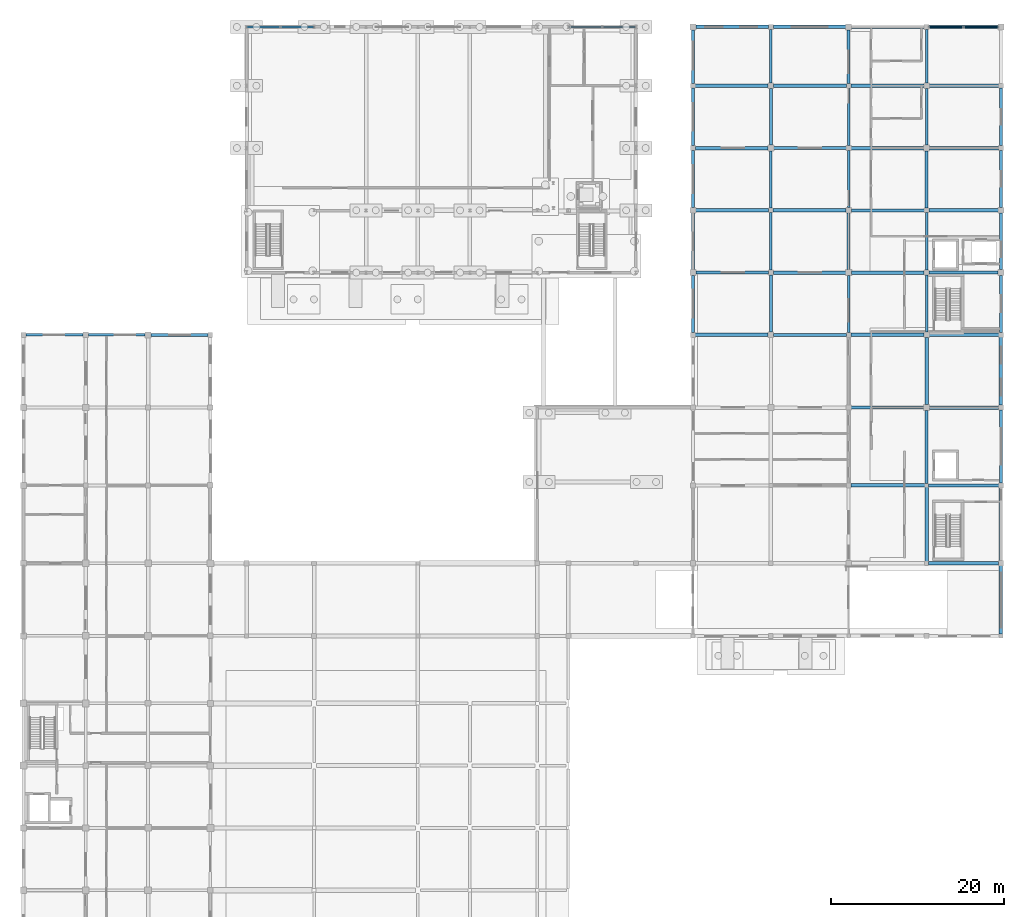
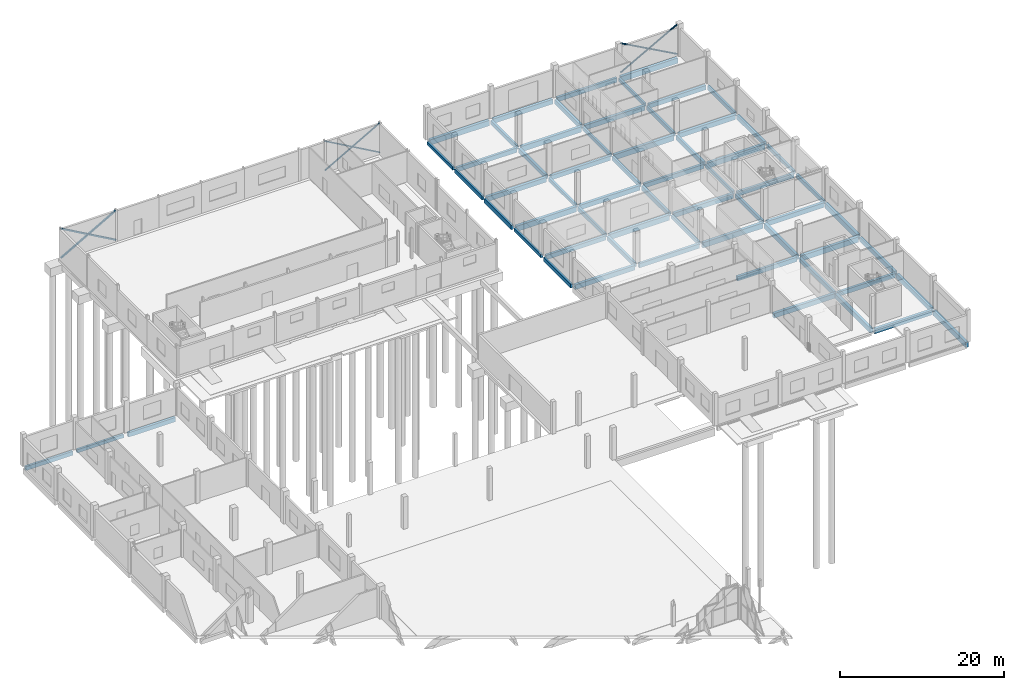
# One storey, part 51 of 91: 63 beams, 9 members.
"""IFC4 building model written with IfcOpenShell, lengths in metres."""

from ifc_helpers import new_model, si_unit, direction, frame, origin, origin_2d, place, context, subcontext, project, spatial, rectangle, hollow_rectangle, hollow_circle, extrude, material, material_profile, profile_set, type_object, element, save


model = new_model("IFC4")

# Units and contexts
model_context = context("Model", 3, precision=1e-05, world=origin(), true_north=direction((0.0, 1.0)))
body_context = subcontext(model_context, "Body", "Model", "MODEL_VIEW")
ifc_project = project(units=[si_unit("LENGTHUNIT", "METRE"), si_unit("AREAUNIT", "SQUARE_METRE"), si_unit("VOLUMEUNIT", "CUBIC_METRE"), si_unit("PLANEANGLEUNIT", "RADIAN"), si_unit("MASSUNIT", "GRAM", prefix="KILO")], contexts=[model_context])

# Site, building, storey
site_placement = place(None, origin())
site = spatial("IfcSite", under=ifc_project, at=site_placement, CompositionType="ELEMENT")
building_placement = place(site_placement, origin())
building = spatial("IfcBuilding", under=site, at=building_placement, Name="Vinh Khe Railworks Police Headquarters", CompositionType="ELEMENT")
storey_placement = place(building_placement, origin())
storey = spatial("IfcBuildingStorey", under=building, at=storey_placement, Name="L00", CompositionType="ELEMENT", Elevation=0.0)

# Members
ifc_material_1 = material(Name="Steel S355JR", Category="steel")
ifc_material_profile_1 = material_profile(ifc_material_1, hollow_circle(Radius=0.109619140625, WallThickness=0.012451171875, at=origin_2d()), Name="CHS 219.1x12.5")
ifc_profile_set_1 = profile_set([ifc_material_profile_1], Name="Steel S355JR")
member_type_1 = type_object("IfcMemberType", Name="Concentric Brace CHS 219.1x12.5", PredefinedType="BRACE", material=ifc_profile_set_1)
member_1_placement = place(storey_placement, frame((105.280029296875, 166.39990234375, 0.199951171875), z_axis=(0.875954135331, 0.0, 0.482394395486), x_axis=(0.0, 1.0, 0.0)))
element("IfcMember", 1, at=member_1_placement, inside=storey, type_object=member_type_1, Name="Continuous Concentric Brace MEM-BR-L00-BR-10-049", PredefinedType="BRACE", context=body_context, shape_type="SweptSolid", body=[
    extrude(hollow_circle(Radius=0.109619140625, WallThickness=0.012451171875, at=origin_2d()), origin(), (0.0, 0.0, 1.0), 9.12158203125),
])
for number, where, z_axis, x_axis, name in (
    (2, (105.280029296875, 166.39990234375, 4.60009765625), (0.875943371878, 0.0, -0.482413939749), (0.0, 1.0, 0.0), "Split X-Brace Segment MEM-BR-L00-BR-10-050 (2A)"),
    (3, (109.374755859375, 166.39990234375, 2.34521484375), (0.875943371878, 0.0, -0.482413939749), (0.0, 1.0, 0.0), "Split X-Brace Segment MEM-BR-L00-BR-10-051 (2B)"),
):
    element("IfcMember", number, at=place(storey_placement, frame(where, z_axis=z_axis, x_axis=x_axis)), inside=storey, type_object=member_type_1, Name=name, PredefinedType="BRACE", context=body_context, shape_type="SweptSolid", body=[
        extrude(hollow_circle(Radius=0.109619140625, WallThickness=0.012451171875, at=origin_2d()), origin(), (0.0, 0.0, 1.0), 4.447021484375),
    ])
ifc_material_profile_2 = material_profile(ifc_material_1, hollow_rectangle(XDim=0.14990234375, YDim=0.14990234375, WallThickness=0.008056640625, at=origin_2d()), Name="SHS 150x150x8")
ifc_profile_set_2 = profile_set([ifc_material_profile_2], Name="Steel S355JR")
member_type_2 = type_object("IfcMemberType", Name="Concentric Brace SHS 150x150x8", PredefinedType="BRACE", material=ifc_profile_set_2)
member_2_placement = place(storey_placement, frame((63.6201171875, 166.39990234375, 0.199951171875), z_axis=(0.869880496642, 0.0, 0.493262528033), x_axis=(0.0, 1.0, 0.0)))
element("IfcMember", 4, at=member_2_placement, inside=storey, type_object=member_type_2, Name="Continuous Concentric Brace MEM-BR-L00-BR-05-070", PredefinedType="BRACE", context=body_context, shape_type="SweptSolid", body=[
    extrude(hollow_rectangle(XDim=0.14990234375, YDim=0.14990234375, WallThickness=0.008056640625, at=origin_2d()), origin(), (0.0, 0.0, 1.0), 8.92041015625),
])
for number, where, z_axis, x_axis, name in (
    (5, (63.6201171875, 166.39990234375, 4.60009765625), (0.869877176874, 0.0, -0.49326838248), (0.0, 1.0, 0.0), "Split X-Brace Segment MEM-BR-L00-BR-05-071 (2A)"),
    (6, (67.56787109375, 166.39990234375, 2.361572265625), (0.869877176874, 0.0, -0.49326838248), (0.0, 1.0, 0.0), "Split X-Brace Segment MEM-BR-L00-BR-05-072 (2B)"),
):
    element("IfcMember", number, at=place(storey_placement, frame(where, z_axis=z_axis, x_axis=x_axis)), inside=storey, type_object=member_type_2, Name=name, PredefinedType="BRACE", context=body_context, shape_type="SweptSolid", body=[
        extrude(hollow_rectangle(XDim=0.14990234375, YDim=0.14990234375, WallThickness=0.008056640625, at=origin_2d()), origin(), (0.0, 0.0, 1.0), 4.38232421875),
    ])
ifc_material_profile_3 = material_profile(ifc_material_1, hollow_rectangle(XDim=0.199951171875, YDim=0.199951171875, WallThickness=0.010009765625, at=origin_2d()), Name="SHS 200x200x10")
ifc_profile_set_3 = profile_set([ifc_material_profile_3], Name="Steel S355JR")
member_type_3 = type_object("IfcMemberType", Name="Concentric Brace SHS 200x200x10", PredefinedType="BRACE", material=ifc_profile_set_3)
member_3_placement = place(storey_placement, frame((26.419921875, 166.39990234375, 0.199951171875), z_axis=(0.869887155378, 0.0, 0.493250785005), x_axis=(0.0, 1.0, 0.0)))
element("IfcMember", 7, at=member_3_placement, inside=storey, type_object=member_type_3, Name="Continuous Concentric Brace MEM-BR-L00-BR-02-067", PredefinedType="BRACE", context=body_context, shape_type="SweptSolid", body=[
    extrude(hollow_rectangle(XDim=0.199951171875, YDim=0.199951171875, WallThickness=0.010009765625, at=origin_2d()), origin(), (0.0, 0.0, 1.0), 8.920654296875),
])
for number, where, z_axis, x_axis, name in (
    (8, (26.419921875, 166.39990234375, 4.60009765625), (0.869897157342, 0.0, -0.493233145327), (0.0, 1.0, 0.0), "Split X-Brace Segment MEM-BR-L00-BR-02-068 (2A)"),
    (9, (30.390380859375, 166.39990234375, 2.3486328125), (0.869897157342, 0.0, -0.493233145327), (0.0, 1.0, 0.0), "Split X-Brace Segment MEM-BR-L00-BR-02-069 (2B)"),
):
    element("IfcMember", number, at=place(storey_placement, frame(where, z_axis=z_axis, x_axis=x_axis)), inside=storey, type_object=member_type_3, Name=name, PredefinedType="BRACE", context=body_context, shape_type="SweptSolid", body=[
        extrude(hollow_rectangle(XDim=0.199951171875, YDim=0.199951171875, WallThickness=0.010009765625, at=origin_2d()), origin(), (0.0, 0.0, 1.0), 4.356201171875),
    ])

# Beams
ifc_material_2 = material(Name="Concrete C35/45 (B35)", Category="concrete")
ifc_material_profile_4 = material_profile(ifc_material_2, rectangle(XDim=0.300048828125, YDim=0.5, at=origin_2d()), Name="RC 300x500")
ifc_profile_set_4 = profile_set([ifc_material_profile_4], Name="Concrete C35/45 (B35)")
beam_type_1 = type_object("IfcBeamType", Name="RC Girder RC 300x500", PredefinedType="BEAM", material=ifc_profile_set_4)
for number, where, z_axis, x_axis, name in (
    (10, (8.10498046875, 130.800048828125, -0.530029296875), (1.0, 0.0, 0.0), (0.0, 1.0, 0.0), "Girder BM-L00-EW-RB-10-0165"),
    (11, (78.0, 138.330078125, -0.530029296875), (0.0, 1.0, 0.0), (-1.0, 0.0, 0.0), "Girder BM-L00-NS-RB-10-0354"),
):
    element("IfcBeam", number, at=place(storey_placement, frame(where, z_axis=z_axis, x_axis=x_axis)), inside=storey, type_object=beam_type_1, Name=name, PredefinedType="BEAM", context=body_context, shape_type="SweptSolid", body=[
        extrude(rectangle(XDim=0.300048828125, YDim=0.5, at=origin_2d()), origin(), (0.0, 0.0, 1.0), 6.56494140625),
    ])
beam_1_placement = place(storey_placement, frame((78.0, 159.85498046875, -0.530029296875), z_axis=(0.0, 1.0, 0.0), x_axis=(-1.0, 0.0, 0.0)))
element("IfcBeam", 12, at=beam_1_placement, inside=storey, type_object=beam_type_1, Name="Girder BM-L00-NS-RB-10-0357", PredefinedType="BEAM", context=body_context, shape_type="SweptSolid", body=[
    extrude(rectangle(XDim=0.300048828125, YDim=0.5, at=origin_2d()), origin(), (0.0, 0.0, 1.0), 6.215087890625),
])
for number, where, z_axis, x_axis, name in (
    (13, (87.0, 145.455078125, -0.530029296875), (0.0, 1.0, 0.0), (-1.0, 0.0, 0.0), "Girder BM-L00-NS-RB-10-0363"),
    (14, (96.0, 131.054931640625, -0.530029296875), (0.0, 1.0, 0.0), (-1.0, 0.0, 0.0), "Girder BM-L00-NS-RB-10-0369"),
):
    element("IfcBeam", number, at=place(storey_placement, frame(where, z_axis=z_axis, x_axis=x_axis)), inside=storey, type_object=beam_type_1, Name=name, PredefinedType="BEAM", context=body_context, shape_type="SweptSolid", body=[
        extrude(rectangle(XDim=0.300048828125, YDim=0.5, at=origin_2d()), origin(), (0.0, 0.0, 1.0), 6.614990234375),
    ])
for number, where, z_axis, x_axis, name in (
    (15, (96.0, 152.679931640625, -0.530029296875), (0.0, 1.0, 0.0), (-1.0, 0.0, 0.0), "Girder BM-L00-NS-RB-10-0372"),
    (16, (105.0, 138.280029296875, -0.530029296875), (0.0, 1.0, 0.0), (-1.0, 0.0, 0.0), "Girder BM-L00-NS-RB-10-0378"),
):
    element("IfcBeam", number, at=place(storey_placement, frame(where, z_axis=z_axis, x_axis=x_axis)), inside=storey, type_object=beam_type_1, Name=name, PredefinedType="BEAM", context=body_context, shape_type="SweptSolid", body=[
        extrude(rectangle(XDim=0.300048828125, YDim=0.5, at=origin_2d()), origin(), (0.0, 0.0, 1.0), 6.6650390625),
    ])
beam_2_placement = place(storey_placement, frame((105.0, 159.905029296875, -0.530029296875), z_axis=(0.0, 1.0, 0.0), x_axis=(-1.0, 0.0, 0.0)))
element("IfcBeam", 17, at=beam_2_placement, inside=storey, type_object=beam_type_1, Name="Girder BM-L00-NS-RB-10-0381", PredefinedType="BEAM", context=body_context, shape_type="SweptSolid", body=[
    extrude(rectangle(XDim=0.300048828125, YDim=0.5, at=origin_2d()), origin(), (0.0, 0.0, 1.0), 6.215087890625),
])
beam_3_placement = place(storey_placement, frame((113.60009765625, 138.330078125, -0.530029296875), z_axis=(0.0, 1.0, 0.0), x_axis=(-1.0, 0.0, 0.0)))
element("IfcBeam", 18, at=beam_3_placement, inside=storey, type_object=beam_type_1, Name="Girder BM-L00-NS-RB-10-0387", PredefinedType="BEAM", context=body_context, shape_type="SweptSolid", body=[
    extrude(rectangle(XDim=0.300048828125, YDim=0.5, at=origin_2d()), origin(), (0.0, 0.0, 1.0), 6.56494140625),
])
ifc_material_profile_5 = material_profile(ifc_material_2, rectangle(XDim=0.300048828125, YDim=0.60009765625, at=origin_2d()), Name="RC 300x600")
ifc_profile_set_5 = profile_set([ifc_material_profile_5], Name="Concrete C35/45 (B35)")
beam_type_2 = type_object("IfcBeamType", Name="RC Girder RC 300x600", PredefinedType="BEAM", material=ifc_profile_set_5)
beam_4_placement = place(storey_placement, frame((0.8798828125, 130.800048828125, -0.580078125), z_axis=(1.0, 0.0, 0.0), x_axis=(0.0, 1.0, 0.0)))
element("IfcBeam", 19, at=beam_4_placement, inside=storey, type_object=beam_type_2, Name="Girder BM-L00-EW-RB-09-0164", PredefinedType="BEAM", context=body_context, shape_type="SweptSolid", body=[
    extrude(rectangle(XDim=0.300048828125, YDim=0.60009765625, at=origin_2d()), origin(), (0.0, 0.0, 1.0), 6.615234375),
])
beam_5_placement = place(storey_placement, frame((78.0, 131.054931640625, -0.580078125), z_axis=(0.0, 1.0, 0.0), x_axis=(-1.0, 0.0, 0.0)))
element("IfcBeam", 20, at=beam_5_placement, inside=storey, type_object=beam_type_2, Name="Girder BM-L00-NS-RB-09-0353", PredefinedType="BEAM", context=body_context, shape_type="SweptSolid", body=[
    extrude(rectangle(XDim=0.300048828125, YDim=0.60009765625, at=origin_2d()), origin(), (0.0, 0.0, 1.0), 6.614990234375),
])
for number, where, z_axis, x_axis, name in (
    (21, (78.0, 152.679931640625, -0.580078125), (0.0, 1.0, 0.0), (-1.0, 0.0, 0.0), "Girder BM-L00-NS-RB-09-0356"),
    (22, (87.0, 138.280029296875, -0.580078125), (0.0, 1.0, 0.0), (-1.0, 0.0, 0.0), "Girder BM-L00-NS-RB-09-0362"),
):
    element("IfcBeam", number, at=place(storey_placement, frame(where, z_axis=z_axis, x_axis=x_axis)), inside=storey, type_object=beam_type_2, Name=name, PredefinedType="BEAM", context=body_context, shape_type="SweptSolid", body=[
        extrude(rectangle(XDim=0.300048828125, YDim=0.60009765625, at=origin_2d()), origin(), (0.0, 0.0, 1.0), 6.6650390625),
    ])
beam_6_placement = place(storey_placement, frame((87.0, 159.905029296875, -0.580078125), z_axis=(0.0, 1.0, 0.0), x_axis=(-1.0, 0.0, 0.0)))
element("IfcBeam", 23, at=beam_6_placement, inside=storey, type_object=beam_type_2, Name="Girder BM-L00-NS-RB-09-0365", PredefinedType="BEAM", context=body_context, shape_type="SweptSolid", body=[
    extrude(rectangle(XDim=0.300048828125, YDim=0.60009765625, at=origin_2d()), origin(), (0.0, 0.0, 1.0), 6.215087890625),
])
beam_7_placement = place(storey_placement, frame((96.0, 145.5048828125, -0.580078125), z_axis=(0.0, 1.0, 0.0), x_axis=(-1.0, 0.0, 0.0)))
element("IfcBeam", 24, at=beam_7_placement, inside=storey, type_object=beam_type_2, Name="Girder BM-L00-NS-RB-09-0371", PredefinedType="BEAM", context=body_context, shape_type="SweptSolid", body=[
    extrude(rectangle(XDim=0.300048828125, YDim=0.60009765625, at=origin_2d()), origin(), (0.0, 0.0, 1.0), 6.615234375),
])
beam_8_placement = place(storey_placement, frame((105.0, 131.10498046875, -0.580078125), z_axis=(0.0, 1.0, 0.0), x_axis=(-1.0, 0.0, 0.0)))
element("IfcBeam", 25, at=beam_8_placement, inside=storey, type_object=beam_type_2, Name="Girder BM-L00-NS-RB-09-0377", PredefinedType="BEAM", context=body_context, shape_type="SweptSolid", body=[
    extrude(rectangle(XDim=0.300048828125, YDim=0.60009765625, at=origin_2d()), origin(), (0.0, 0.0, 1.0), 6.614990234375),
])
beam_9_placement = place(storey_placement, frame((105.0, 152.72998046875, -0.580078125), z_axis=(0.0, 1.0, 0.0), x_axis=(-1.0, 0.0, 0.0)))
element("IfcBeam", 26, at=beam_9_placement, inside=storey, type_object=beam_type_2, Name="Girder BM-L00-NS-RB-09-0380", PredefinedType="BEAM", context=body_context, shape_type="SweptSolid", body=[
    extrude(rectangle(XDim=0.300048828125, YDim=0.60009765625, at=origin_2d()), origin(), (0.0, 0.0, 1.0), 6.56494140625),
])
beam_10_placement = place(storey_placement, frame((113.60009765625, 131.054931640625, -0.580078125), z_axis=(0.0, 1.0, 0.0), x_axis=(-1.0, 0.0, 0.0)))
element("IfcBeam", 27, at=beam_10_placement, inside=storey, type_object=beam_type_2, Name="Girder BM-L00-NS-RB-09-0386", PredefinedType="BEAM", context=body_context, shape_type="SweptSolid", body=[
    extrude(rectangle(XDim=0.300048828125, YDim=0.60009765625, at=origin_2d()), origin(), (0.0, 0.0, 1.0), 6.614990234375),
])
beam_11_placement = place(storey_placement, frame((113.60009765625, 152.679931640625, -0.580078125), z_axis=(0.0, 1.0, 0.0), x_axis=(-1.0, 0.0, 0.0)))
element("IfcBeam", 28, at=beam_11_placement, inside=storey, type_object=beam_type_2, Name="Girder BM-L00-NS-RB-09-0389", PredefinedType="BEAM", context=body_context, shape_type="SweptSolid", body=[
    extrude(rectangle(XDim=0.300048828125, YDim=0.60009765625, at=origin_2d()), origin(), (0.0, 0.0, 1.0), 6.6650390625),
])
ifc_material_profile_6 = material_profile(ifc_material_2, rectangle(XDim=0.35009765625, YDim=0.64990234375, at=origin_2d()), Name="RC 350x650")
ifc_profile_set_6 = profile_set([ifc_material_profile_6], Name="Concrete C35/45 (B35)")
beam_type_3 = type_object("IfcBeamType", Name="RC Girder RC 350x650", PredefinedType="BEAM", material=ifc_profile_set_6)
beam_12_placement = place(storey_placement, frame((105.205078125, 113.39990234375, -0.60498046875), z_axis=(1.0, 0.0, 0.0), x_axis=(0.0, 1.0, 0.0)))
element("IfcBeam", 29, at=beam_12_placement, inside=storey, type_object=beam_type_3, Name="Girder BM-L00-EW-RB-08-0156", PredefinedType="BEAM", context=body_context, shape_type="SweptSolid", body=[
    extrude(rectangle(XDim=0.35009765625, YDim=0.64990234375, at=origin_2d()), origin(), (0.0, 0.0, 1.0), 8.139892578125),
])
beam_13_placement = place(storey_placement, frame((96.280029296875, 122.39990234375, -0.60498046875), z_axis=(1.0, 0.0, 0.0), x_axis=(0.0, 1.0, 0.0)))
element("IfcBeam", 30, at=beam_13_placement, inside=storey, type_object=beam_type_3, Name="Girder BM-L00-EW-RB-08-0162", PredefinedType="BEAM", context=body_context, shape_type="SweptSolid", body=[
    extrude(rectangle(XDim=0.35009765625, YDim=0.64990234375, at=origin_2d()), origin(), (0.0, 0.0, 1.0), 8.389892578125),
])
beam_14_placement = place(storey_placement, frame((15.330078125, 130.800048828125, -0.60498046875), z_axis=(1.0, 0.0, 0.0), x_axis=(0.0, 1.0, 0.0)))
element("IfcBeam", 31, at=beam_14_placement, inside=storey, type_object=beam_type_3, Name="Girder BM-L00-EW-RB-08-0166", PredefinedType="BEAM", context=body_context, shape_type="SweptSolid", body=[
    extrude(rectangle(XDim=0.35009765625, YDim=0.64990234375, at=origin_2d()), origin(), (0.0, 0.0, 1.0), 6.614990234375),
])
beam_15_placement = place(storey_placement, frame((87.304931640625, 130.800048828125, -0.60498046875), z_axis=(1.0, 0.0, 0.0), x_axis=(0.0, 1.0, 0.0)))
element("IfcBeam", 32, at=beam_15_placement, inside=storey, type_object=beam_type_3, Name="Girder BM-L00-EW-RB-08-0168", PredefinedType="BEAM", context=body_context, shape_type="SweptSolid", body=[
    extrude(rectangle(XDim=0.35009765625, YDim=0.64990234375, at=origin_2d()), origin(), (0.0, 0.0, 1.0), 8.440185546875),
])
beam_16_placement = place(storey_placement, frame((78.330078125, 138.0, -0.60498046875), z_axis=(1.0, 0.0, 0.0), x_axis=(0.0, 1.0, 0.0)))
element("IfcBeam", 33, at=beam_16_placement, inside=storey, type_object=beam_type_3, Name="Girder BM-L00-EW-RB-08-0171", PredefinedType="BEAM", context=body_context, shape_type="SweptSolid", body=[
    extrude(rectangle(XDim=0.35009765625, YDim=0.64990234375, at=origin_2d()), origin(), (0.0, 0.0, 1.0), 8.389892578125),
])
beam_17_placement = place(storey_placement, frame((105.280029296875, 138.0, -0.60498046875), z_axis=(1.0, 0.0, 0.0), x_axis=(0.0, 1.0, 0.0)))
element("IfcBeam", 34, at=beam_17_placement, inside=storey, type_object=beam_type_3, Name="Girder BM-L00-EW-RB-08-0174", PredefinedType="BEAM", context=body_context, shape_type="SweptSolid", body=[
    extrude(rectangle(XDim=0.35009765625, YDim=0.64990234375, at=origin_2d()), origin(), (0.0, 0.0, 1.0), 7.989990234375),
])
beam_18_placement = place(storey_placement, frame((96.304931640625, 145.199951171875, -0.60498046875), z_axis=(1.0, 0.0, 0.0), x_axis=(0.0, 1.0, 0.0)))
element("IfcBeam", 35, at=beam_18_placement, inside=storey, type_object=beam_type_3, Name="Girder BM-L00-EW-RB-08-0177", PredefinedType="BEAM", context=body_context, shape_type="SweptSolid", body=[
    extrude(rectangle(XDim=0.35009765625, YDim=0.64990234375, at=origin_2d()), origin(), (0.0, 0.0, 1.0), 8.440185546875),
])
beam_19_placement = place(storey_placement, frame((87.330078125, 152.39990234375, -0.60498046875), z_axis=(1.0, 0.0, 0.0), x_axis=(0.0, 1.0, 0.0)))
element("IfcBeam", 36, at=beam_19_placement, inside=storey, type_object=beam_type_3, Name="Girder BM-L00-EW-RB-08-0180", PredefinedType="BEAM", context=body_context, shape_type="SweptSolid", body=[
    extrude(rectangle(XDim=0.35009765625, YDim=0.64990234375, at=origin_2d()), origin(), (0.0, 0.0, 1.0), 8.389892578125),
])
beam_20_placement = place(storey_placement, frame((78.2548828125, 159.60009765625, -0.60498046875), z_axis=(1.0, 0.0, 0.0), x_axis=(0.0, 1.0, 0.0)))
element("IfcBeam", 37, at=beam_20_placement, inside=storey, type_object=beam_type_3, Name="Girder BM-L00-EW-RB-08-0183", PredefinedType="BEAM", context=body_context, shape_type="SweptSolid", body=[
    extrude(rectangle(XDim=0.35009765625, YDim=0.64990234375, at=origin_2d()), origin(), (0.0, 0.0, 1.0), 8.440185546875),
])
beam_21_placement = place(storey_placement, frame((105.304931640625, 159.60009765625, -0.60498046875), z_axis=(1.0, 0.0, 0.0), x_axis=(0.0, 1.0, 0.0)))
element("IfcBeam", 38, at=beam_21_placement, inside=storey, type_object=beam_type_3, Name="Girder BM-L00-EW-RB-08-0186", PredefinedType="BEAM", context=body_context, shape_type="SweptSolid", body=[
    extrude(rectangle(XDim=0.35009765625, YDim=0.64990234375, at=origin_2d()), origin(), (0.0, 0.0, 1.0), 8.0400390625),
])
beam_22_placement = place(storey_placement, frame((96.330078125, 166.39990234375, -0.60498046875), z_axis=(1.0, 0.0, 0.0), x_axis=(0.0, 1.0, 0.0)))
element("IfcBeam", 39, at=beam_22_placement, inside=storey, type_object=beam_type_3, Name="Girder BM-L00-EW-RB-08-0189", PredefinedType="BEAM", context=body_context, shape_type="SweptSolid", body=[
    extrude(rectangle(XDim=0.35009765625, YDim=0.64990234375, at=origin_2d()), origin(), (0.0, 0.0, 1.0), 8.389892578125),
])
beam_23_placement = place(storey_placement, frame((78.0, 145.5048828125, -0.60498046875), z_axis=(0.0, 1.0, 0.0), x_axis=(-1.0, 0.0, 0.0)))
element("IfcBeam", 40, at=beam_23_placement, inside=storey, type_object=beam_type_3, Name="Girder BM-L00-NS-RB-08-0355", PredefinedType="BEAM", context=body_context, shape_type="SweptSolid", body=[
    extrude(rectangle(XDim=0.35009765625, YDim=0.64990234375, at=origin_2d()), origin(), (0.0, 0.0, 1.0), 6.615234375),
])
beam_24_placement = place(storey_placement, frame((87.0, 131.10498046875, -0.60498046875), z_axis=(0.0, 1.0, 0.0), x_axis=(-1.0, 0.0, 0.0)))
element("IfcBeam", 41, at=beam_24_placement, inside=storey, type_object=beam_type_3, Name="Girder BM-L00-NS-RB-08-0361", PredefinedType="BEAM", context=body_context, shape_type="SweptSolid", body=[
    extrude(rectangle(XDim=0.35009765625, YDim=0.64990234375, at=origin_2d()), origin(), (0.0, 0.0, 1.0), 6.614990234375),
])
for number, where, z_axis, x_axis, name in (
    (42, (87.0, 152.72998046875, -0.60498046875), (0.0, 1.0, 0.0), (-1.0, 0.0, 0.0), "Girder BM-L00-NS-RB-08-0364"),
    (43, (96.0, 138.330078125, -0.60498046875), (0.0, 1.0, 0.0), (-1.0, 0.0, 0.0), "Girder BM-L00-NS-RB-08-0370"),
):
    element("IfcBeam", number, at=place(storey_placement, frame(where, z_axis=z_axis, x_axis=x_axis)), inside=storey, type_object=beam_type_3, Name=name, PredefinedType="BEAM", context=body_context, shape_type="SweptSolid", body=[
        extrude(rectangle(XDim=0.35009765625, YDim=0.64990234375, at=origin_2d()), origin(), (0.0, 0.0, 1.0), 6.56494140625),
    ])
beam_25_placement = place(storey_placement, frame((96.0, 159.85498046875, -0.60498046875), z_axis=(0.0, 1.0, 0.0), x_axis=(-1.0, 0.0, 0.0)))
element("IfcBeam", 44, at=beam_25_placement, inside=storey, type_object=beam_type_3, Name="Girder BM-L00-NS-RB-08-0373", PredefinedType="BEAM", context=body_context, shape_type="SweptSolid", body=[
    extrude(rectangle(XDim=0.35009765625, YDim=0.64990234375, at=origin_2d()), origin(), (0.0, 0.0, 1.0), 6.215087890625),
])
beam_26_placement = place(storey_placement, frame((105.0, 113.60498046875, -0.60498046875), z_axis=(0.0, 1.0, 0.0), x_axis=(-1.0, 0.0, 0.0)))
element("IfcBeam", 45, at=beam_26_placement, inside=storey, type_object=beam_type_3, Name="Girder BM-L00-NS-RB-08-0375", PredefinedType="BEAM", context=body_context, shape_type="SweptSolid", body=[
    extrude(rectangle(XDim=0.35009765625, YDim=0.64990234375, at=origin_2d()), origin(), (0.0, 0.0, 1.0), 8.465087890625),
])
beam_27_placement = place(storey_placement, frame((105.0, 145.455078125, -0.60498046875), z_axis=(0.0, 1.0, 0.0), x_axis=(-1.0, 0.0, 0.0)))
element("IfcBeam", 46, at=beam_27_placement, inside=storey, type_object=beam_type_3, Name="Girder BM-L00-NS-RB-08-0379", PredefinedType="BEAM", context=body_context, shape_type="SweptSolid", body=[
    extrude(rectangle(XDim=0.35009765625, YDim=0.64990234375, at=origin_2d()), origin(), (0.0, 0.0, 1.0), 6.614990234375),
])
beam_28_placement = place(storey_placement, frame((113.60009765625, 113.655029296875, -0.60498046875), z_axis=(0.0, 1.0, 0.0), x_axis=(-1.0, 0.0, 0.0)))
element("IfcBeam", 47, at=beam_28_placement, inside=storey, type_object=beam_type_3, Name="Girder BM-L00-NS-RB-08-0384", PredefinedType="BEAM", context=body_context, shape_type="SweptSolid", body=[
    extrude(rectangle(XDim=0.35009765625, YDim=0.64990234375, at=origin_2d()), origin(), (0.0, 0.0, 1.0), 8.465087890625),
])
beam_29_placement = place(storey_placement, frame((113.60009765625, 145.5048828125, -0.60498046875), z_axis=(0.0, 1.0, 0.0), x_axis=(-1.0, 0.0, 0.0)))
element("IfcBeam", 48, at=beam_29_placement, inside=storey, type_object=beam_type_3, Name="Girder BM-L00-NS-RB-08-0388", PredefinedType="BEAM", context=body_context, shape_type="SweptSolid", body=[
    extrude(rectangle(XDim=0.35009765625, YDim=0.64990234375, at=origin_2d()), origin(), (0.0, 0.0, 1.0), 6.615234375),
])
ifc_material_profile_7 = material_profile(ifc_material_2, rectangle(XDim=0.39990234375, YDim=0.699951171875, at=origin_2d()), Name="RC 400x700")
ifc_profile_set_7 = profile_set([ifc_material_profile_7], Name="Concrete C35/45 (B35)")
beam_type_4 = type_object("IfcBeamType", Name="RC Girder RC 400x700", PredefinedType="BEAM", material=ifc_profile_set_7)
beam_30_placement = place(storey_placement, frame((105.22998046875, 104.39990234375, -0.6298828125), z_axis=(1.0, 0.0, 0.0), x_axis=(0.0, 1.0, 0.0)))
element("IfcBeam", 49, at=beam_30_placement, inside=storey, type_object=beam_type_4, Name="Girder BM-L00-EW-RB-07-0149", PredefinedType="BEAM", context=body_context, shape_type="SweptSolid", body=[
    extrude(rectangle(XDim=0.39990234375, YDim=0.699951171875, at=origin_2d()), origin(), (0.0, 0.0, 1.0), 8.090087890625),
])
beam_31_placement = place(storey_placement, frame((96.2548828125, 113.39990234375, -0.6298828125), z_axis=(1.0, 0.0, 0.0), x_axis=(0.0, 1.0, 0.0)))
element("IfcBeam", 50, at=beam_31_placement, inside=storey, type_object=beam_type_4, Name="Girder BM-L00-EW-RB-07-0155", PredefinedType="BEAM", context=body_context, shape_type="SweptSolid", body=[
    extrude(rectangle(XDim=0.39990234375, YDim=0.699951171875, at=origin_2d()), origin(), (0.0, 0.0, 1.0), 8.5400390625),
])
beam_32_placement = place(storey_placement, frame((78.2548828125, 130.800048828125, -0.6298828125), z_axis=(1.0, 0.0, 0.0), x_axis=(0.0, 1.0, 0.0)))
element("IfcBeam", 51, at=beam_32_placement, inside=storey, type_object=beam_type_4, Name="Girder BM-L00-EW-RB-07-0167", PredefinedType="BEAM", context=body_context, shape_type="SweptSolid", body=[
    extrude(rectangle(XDim=0.39990234375, YDim=0.699951171875, at=origin_2d()), origin(), (0.0, 0.0, 1.0), 8.440185546875),
])
beam_33_placement = place(storey_placement, frame((105.304931640625, 130.800048828125, -0.6298828125), z_axis=(1.0, 0.0, 0.0), x_axis=(0.0, 1.0, 0.0)))
element("IfcBeam", 52, at=beam_33_placement, inside=storey, type_object=beam_type_4, Name="Girder BM-L00-EW-RB-07-0170", PredefinedType="BEAM", context=body_context, shape_type="SweptSolid", body=[
    extrude(rectangle(XDim=0.39990234375, YDim=0.699951171875, at=origin_2d()), origin(), (0.0, 0.0, 1.0), 8.0400390625),
])
beam_34_placement = place(storey_placement, frame((96.330078125, 138.0, -0.6298828125), z_axis=(1.0, 0.0, 0.0), x_axis=(0.0, 1.0, 0.0)))
element("IfcBeam", 53, at=beam_34_placement, inside=storey, type_object=beam_type_4, Name="Girder BM-L00-EW-RB-07-0173", PredefinedType="BEAM", context=body_context, shape_type="SweptSolid", body=[
    extrude(rectangle(XDim=0.39990234375, YDim=0.699951171875, at=origin_2d()), origin(), (0.0, 0.0, 1.0), 8.389892578125),
])
beam_35_placement = place(storey_placement, frame((87.2548828125, 145.199951171875, -0.6298828125), z_axis=(1.0, 0.0, 0.0), x_axis=(0.0, 1.0, 0.0)))
element("IfcBeam", 54, at=beam_35_placement, inside=storey, type_object=beam_type_4, Name="Girder BM-L00-EW-RB-07-0176", PredefinedType="BEAM", context=body_context, shape_type="SweptSolid", body=[
    extrude(rectangle(XDim=0.39990234375, YDim=0.699951171875, at=origin_2d()), origin(), (0.0, 0.0, 1.0), 8.440185546875),
])
beam_36_placement = place(storey_placement, frame((78.280029296875, 152.39990234375, -0.6298828125), z_axis=(1.0, 0.0, 0.0), x_axis=(0.0, 1.0, 0.0)))
element("IfcBeam", 55, at=beam_36_placement, inside=storey, type_object=beam_type_4, Name="Girder BM-L00-EW-RB-07-0179", PredefinedType="BEAM", context=body_context, shape_type="SweptSolid", body=[
    extrude(rectangle(XDim=0.39990234375, YDim=0.699951171875, at=origin_2d()), origin(), (0.0, 0.0, 1.0), 8.389892578125),
])
beam_37_placement = place(storey_placement, frame((105.330078125, 152.39990234375, -0.6298828125), z_axis=(1.0, 0.0, 0.0), x_axis=(0.0, 1.0, 0.0)))
element("IfcBeam", 56, at=beam_37_placement, inside=storey, type_object=beam_type_4, Name="Girder BM-L00-EW-RB-07-0182", PredefinedType="BEAM", context=body_context, shape_type="SweptSolid", body=[
    extrude(rectangle(XDim=0.39990234375, YDim=0.699951171875, at=origin_2d()), origin(), (0.0, 0.0, 1.0), 7.989990234375),
])
beam_38_placement = place(storey_placement, frame((96.2548828125, 159.60009765625, -0.6298828125), z_axis=(1.0, 0.0, 0.0), x_axis=(0.0, 1.0, 0.0)))
element("IfcBeam", 57, at=beam_38_placement, inside=storey, type_object=beam_type_4, Name="Girder BM-L00-EW-RB-07-0185", PredefinedType="BEAM", context=body_context, shape_type="SweptSolid", body=[
    extrude(rectangle(XDim=0.39990234375, YDim=0.699951171875, at=origin_2d()), origin(), (0.0, 0.0, 1.0), 8.440185546875),
])
beam_39_placement = place(storey_placement, frame((87.280029296875, 166.39990234375, -0.6298828125), z_axis=(1.0, 0.0, 0.0), x_axis=(0.0, 1.0, 0.0)))
element("IfcBeam", 58, at=beam_39_placement, inside=storey, type_object=beam_type_4, Name="Girder BM-L00-EW-RB-07-0188", PredefinedType="BEAM", context=body_context, shape_type="SweptSolid", body=[
    extrude(rectangle(XDim=0.39990234375, YDim=0.699951171875, at=origin_2d()), origin(), (0.0, 0.0, 1.0), 8.389892578125),
])
beam_40_placement = place(storey_placement, frame((105.0, 104.6298828125, -0.6298828125), z_axis=(0.0, 1.0, 0.0), x_axis=(-1.0, 0.0, 0.0)))
element("IfcBeam", 59, at=beam_40_placement, inside=storey, type_object=beam_type_4, Name="Girder BM-L00-NS-RB-07-0374", PredefinedType="BEAM", context=body_context, shape_type="SweptSolid", body=[
    extrude(rectangle(XDim=0.39990234375, YDim=0.699951171875, at=origin_2d()), origin(), (0.0, 0.0, 1.0), 8.565185546875),
])
beam_41_placement = place(storey_placement, frame((113.60009765625, 104.679931640625, -0.6298828125), z_axis=(0.0, 1.0, 0.0), x_axis=(-1.0, 0.0, 0.0)))
element("IfcBeam", 60, at=beam_41_placement, inside=storey, type_object=beam_type_4, Name="Girder BM-L00-NS-RB-07-0383", PredefinedType="BEAM", context=body_context, shape_type="SweptSolid", body=[
    extrude(rectangle(XDim=0.39990234375, YDim=0.699951171875, at=origin_2d()), origin(), (0.0, 0.0, 1.0), 8.465087890625),
])
ifc_material_profile_8 = material_profile(ifc_material_2, rectangle(XDim=0.39990234375, YDim=0.800048828125, at=origin_2d()), Name="RC 400x800")
ifc_profile_set_8 = profile_set([ifc_material_profile_8], Name="Concrete C35/45 (B35)")
beam_type_5 = type_object("IfcBeamType", Name="RC Girder RC 400x800", PredefinedType="BEAM", material=ifc_profile_set_8)
beam_42_placement = place(storey_placement, frame((105.330078125, 122.39990234375, -0.679931640625), z_axis=(1.0, 0.0, 0.0), x_axis=(0.0, 1.0, 0.0)))
element("IfcBeam", 61, at=beam_42_placement, inside=storey, type_object=beam_type_5, Name="Girder BM-L00-EW-RB-06-0163", PredefinedType="BEAM", context=body_context, shape_type="SweptSolid", body=[
    extrude(rectangle(XDim=0.39990234375, YDim=0.800048828125, at=origin_2d()), origin(), (0.0, 0.0, 1.0), 7.989990234375),
])
beam_43_placement = place(storey_placement, frame((96.2548828125, 130.800048828125, -0.679931640625), z_axis=(1.0, 0.0, 0.0), x_axis=(0.0, 1.0, 0.0)))
element("IfcBeam", 62, at=beam_43_placement, inside=storey, type_object=beam_type_5, Name="Girder BM-L00-EW-RB-06-0169", PredefinedType="BEAM", context=body_context, shape_type="SweptSolid", body=[
    extrude(rectangle(XDim=0.39990234375, YDim=0.800048828125, at=origin_2d()), origin(), (0.0, 0.0, 1.0), 8.440185546875),
])
beam_44_placement = place(storey_placement, frame((87.280029296875, 138.0, -0.679931640625), z_axis=(1.0, 0.0, 0.0), x_axis=(0.0, 1.0, 0.0)))
element("IfcBeam", 63, at=beam_44_placement, inside=storey, type_object=beam_type_5, Name="Girder BM-L00-EW-RB-06-0172", PredefinedType="BEAM", context=body_context, shape_type="SweptSolid", body=[
    extrude(rectangle(XDim=0.39990234375, YDim=0.800048828125, at=origin_2d()), origin(), (0.0, 0.0, 1.0), 8.389892578125),
])
beam_45_placement = place(storey_placement, frame((78.304931640625, 145.199951171875, -0.679931640625), z_axis=(1.0, 0.0, 0.0), x_axis=(0.0, 1.0, 0.0)))
element("IfcBeam", 64, at=beam_45_placement, inside=storey, type_object=beam_type_5, Name="Girder BM-L00-EW-RB-06-0175", PredefinedType="BEAM", context=body_context, shape_type="SweptSolid", body=[
    extrude(rectangle(XDim=0.39990234375, YDim=0.800048828125, at=origin_2d()), origin(), (0.0, 0.0, 1.0), 8.440185546875),
])
beam_46_placement = place(storey_placement, frame((105.2548828125, 145.199951171875, -0.679931640625), z_axis=(1.0, 0.0, 0.0), x_axis=(0.0, 1.0, 0.0)))
element("IfcBeam", 65, at=beam_46_placement, inside=storey, type_object=beam_type_5, Name="Girder BM-L00-EW-RB-06-0178", PredefinedType="BEAM", context=body_context, shape_type="SweptSolid", body=[
    extrude(rectangle(XDim=0.39990234375, YDim=0.800048828125, at=origin_2d()), origin(), (0.0, 0.0, 1.0), 8.0400390625),
])
beam_47_placement = place(storey_placement, frame((96.280029296875, 152.39990234375, -0.679931640625), z_axis=(1.0, 0.0, 0.0), x_axis=(0.0, 1.0, 0.0)))
element("IfcBeam", 66, at=beam_47_placement, inside=storey, type_object=beam_type_5, Name="Girder BM-L00-EW-RB-06-0181", PredefinedType="BEAM", context=body_context, shape_type="SweptSolid", body=[
    extrude(rectangle(XDim=0.39990234375, YDim=0.800048828125, at=origin_2d()), origin(), (0.0, 0.0, 1.0), 8.389892578125),
])
beam_48_placement = place(storey_placement, frame((87.304931640625, 159.60009765625, -0.679931640625), z_axis=(1.0, 0.0, 0.0), x_axis=(0.0, 1.0, 0.0)))
element("IfcBeam", 67, at=beam_48_placement, inside=storey, type_object=beam_type_5, Name="Girder BM-L00-EW-RB-06-0184", PredefinedType="BEAM", context=body_context, shape_type="SweptSolid", body=[
    extrude(rectangle(XDim=0.39990234375, YDim=0.800048828125, at=origin_2d()), origin(), (0.0, 0.0, 1.0), 8.440185546875),
])
beam_49_placement = place(storey_placement, frame((78.330078125, 166.39990234375, -0.679931640625), z_axis=(1.0, 0.0, 0.0), x_axis=(0.0, 1.0, 0.0)))
element("IfcBeam", 68, at=beam_49_placement, inside=storey, type_object=beam_type_5, Name="Girder BM-L00-EW-RB-06-0187", PredefinedType="BEAM", context=body_context, shape_type="SweptSolid", body=[
    extrude(rectangle(XDim=0.39990234375, YDim=0.800048828125, at=origin_2d()), origin(), (0.0, 0.0, 1.0), 8.389892578125),
])
beam_50_placement = place(storey_placement, frame((105.280029296875, 166.39990234375, -0.679931640625), z_axis=(1.0, 0.0, 0.0), x_axis=(0.0, 1.0, 0.0)))
element("IfcBeam", 69, at=beam_50_placement, inside=storey, type_object=beam_type_5, Name="Girder BM-L00-EW-RB-06-0190", PredefinedType="BEAM", context=body_context, shape_type="SweptSolid", body=[
    extrude(rectangle(XDim=0.39990234375, YDim=0.800048828125, at=origin_2d()), origin(), (0.0, 0.0, 1.0), 7.989990234375),
])
beam_51_placement = place(storey_placement, frame((105.0, 122.72998046875, -0.679931640625), z_axis=(0.0, 1.0, 0.0), x_axis=(-1.0, 0.0, 0.0)))
element("IfcBeam", 70, at=beam_51_placement, inside=storey, type_object=beam_type_5, Name="Girder BM-L00-NS-RB-06-0376", PredefinedType="BEAM", context=body_context, shape_type="SweptSolid", body=[
    extrude(rectangle(XDim=0.39990234375, YDim=0.800048828125, at=origin_2d()), origin(), (0.0, 0.0, 1.0), 7.76513671875),
])
beam_52_placement = place(storey_placement, frame((113.60009765625, 96.205078125, -0.679931640625), z_axis=(0.0, 1.0, 0.0), x_axis=(-1.0, 0.0, 0.0)))
element("IfcBeam", 71, at=beam_52_placement, inside=storey, type_object=beam_type_5, Name="Girder BM-L00-NS-RB-06-0382", PredefinedType="BEAM", context=body_context, shape_type="SweptSolid", body=[
    extrude(rectangle(XDim=0.39990234375, YDim=0.800048828125, at=origin_2d()), origin(), (0.0, 0.0, 1.0), 7.9150390625),
])
beam_53_placement = place(storey_placement, frame((113.60009765625, 122.679931640625, -0.679931640625), z_axis=(0.0, 1.0, 0.0), x_axis=(-1.0, 0.0, 0.0)))
element("IfcBeam", 72, at=beam_53_placement, inside=storey, type_object=beam_type_5, Name="Girder BM-L00-NS-RB-06-0385", PredefinedType="BEAM", context=body_context, shape_type="SweptSolid", body=[
    extrude(rectangle(XDim=0.39990234375, YDim=0.800048828125, at=origin_2d()), origin(), (0.0, 0.0, 1.0), 7.864990234375),
])

save(model, "model.ifc")
